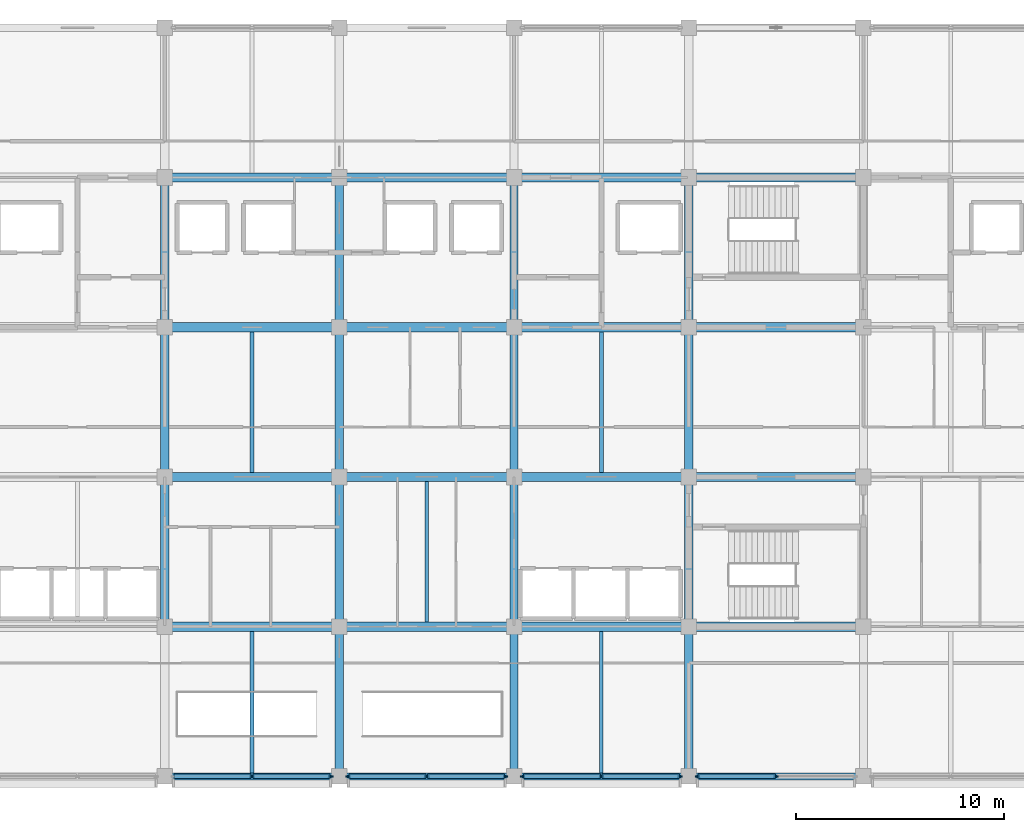
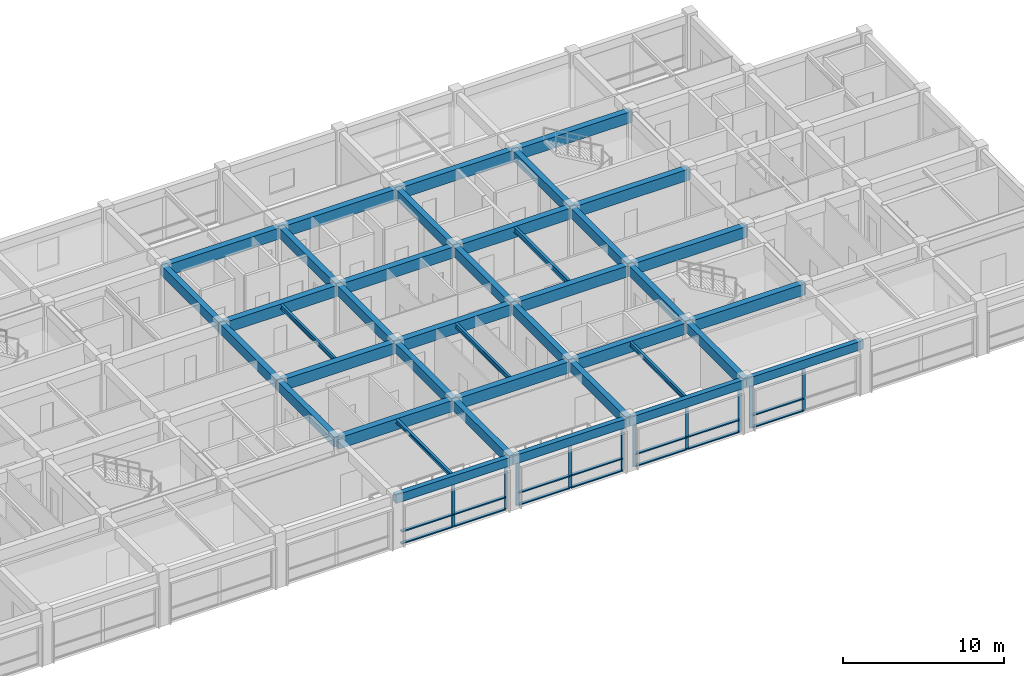
# One storey, part 4 of 23: 40 beams, 31 members, 4 elements without a shape of their own.
"""IFC4 building model written with IfcOpenShell, lengths in metres."""

from ifc_helpers import new_model, si_unit, direction, frame, origin, origin_2d, place, context, subcontext, project, spatial, rectangle, i_section, extrude, material, layer, layer_set, material_profile, profile_set, type_object, element, aggregate, save


model = new_model("IFC4")

# Units and contexts
model_context = context("Model", 3, precision=1e-05, world=origin(), true_north=direction((0.0, 1.0)))
body_context = subcontext(model_context, "Body", "Model", "MODEL_VIEW")
ifc_project = project(units=[si_unit("LENGTHUNIT", "METRE"), si_unit("AREAUNIT", "SQUARE_METRE"), si_unit("VOLUMEUNIT", "CUBIC_METRE"), si_unit("PLANEANGLEUNIT", "RADIAN"), si_unit("MASSUNIT", "GRAM", prefix="KILO")], contexts=[model_context])

# Site, building, storey
site_placement = place(None, origin())
site = spatial("IfcSite", under=ifc_project, at=site_placement, CompositionType="ELEMENT")
building_placement = place(site_placement, origin())
building = spatial("IfcBuilding", under=site, at=building_placement, Name="Chengyuan Square Courthouse", CompositionType="ELEMENT")
storey_placement = place(building_placement, frame((0.0, 0.0, 43.5)))
storey = spatial("IfcBuildingStorey", under=building, at=storey_placement, Name="L10", CompositionType="ELEMENT", Elevation=43.5)

# Beams
ifc_material_1 = material(Name="Concrete C40", Category="concrete")
ifc_material_profile_1 = material_profile(ifc_material_1, rectangle(XDim=0.449951171875, YDim=0.85009765625, at=origin_2d()), Name="RC-BM-450x850")
ifc_profile_set_1 = profile_set([ifc_material_profile_1], Name="Concrete C40")
beam_type_1 = type_object("IfcBeamType", Name="BM-01", PredefinedType="USERDEFINED", material=ifc_profile_set_1)
for number, where, z_axis, x_axis, name in (
    (1, (75.60009765625, 86.39990234375, 3.52490234375), (1.0, 0.0, 0.0), (0.0, 1.0, 0.0), "Girder BM-L10-4040"),
    (2, (84.0, 86.39990234375, 3.52490234375), (1.0, 0.0, 0.0), (0.0, 1.0, 0.0), "Girder BM-L10-4041"),
):
    element("IfcBeam", number, at=place(storey_placement, frame(where, z_axis=z_axis, x_axis=x_axis)), inside=storey, type_object=beam_type_1, Name=name, ObjectType="GIRDER", PredefinedType="USERDEFINED", context=body_context, shape_type="SweptSolid", body=[
        extrude(rectangle(XDim=0.449951171875, YDim=0.85009765625, at=origin_2d()), origin(), (0.0, 0.0, 1.0), 8.39990234375),
    ])
beam_1_placement = place(storey_placement, frame((92.39990234375, 86.39990234375, 3.52490234375), z_axis=(1.0, 0.0, 0.0), x_axis=(0.0, 1.0, 0.0)))
element("IfcBeam", 3, at=beam_1_placement, inside=storey, type_object=beam_type_1, Name="Girder BM-L10-4042", ObjectType="GIRDER", PredefinedType="USERDEFINED", context=body_context, shape_type="SweptSolid", body=[
    extrude(rectangle(XDim=0.449951171875, YDim=0.85009765625, at=origin_2d()), origin(), (0.0, 0.0, 1.0), 8.400146484375),
])
for number, where, z_axis, x_axis, name in (
    (4, (100.800048828125, 86.39990234375, 3.52490234375), (1.0, 0.0, 0.0), (0.0, 1.0, 0.0), "Girder BM-L10-4043"),
    (5, (75.60009765625, 93.60009765625, 3.52490234375), (1.0, 0.0, 0.0), (0.0, 1.0, 0.0), "Girder BM-L10-4050"),
    (6, (84.0, 93.60009765625, 3.52490234375), (1.0, 0.0, 0.0), (0.0, 1.0, 0.0), "Girder BM-L10-4051"),
):
    element("IfcBeam", number, at=place(storey_placement, frame(where, z_axis=z_axis, x_axis=x_axis)), inside=storey, type_object=beam_type_1, Name=name, ObjectType="GIRDER", PredefinedType="USERDEFINED", context=body_context, shape_type="SweptSolid", body=[
        extrude(rectangle(XDim=0.449951171875, YDim=0.85009765625, at=origin_2d()), origin(), (0.0, 0.0, 1.0), 8.39990234375),
    ])
beam_2_placement = place(storey_placement, frame((92.39990234375, 93.60009765625, 3.52490234375), z_axis=(1.0, 0.0, 0.0), x_axis=(0.0, 1.0, 0.0)))
element("IfcBeam", 7, at=beam_2_placement, inside=storey, type_object=beam_type_1, Name="Girder BM-L10-4052", ObjectType="GIRDER", PredefinedType="USERDEFINED", context=body_context, shape_type="SweptSolid", body=[
    extrude(rectangle(XDim=0.449951171875, YDim=0.85009765625, at=origin_2d()), origin(), (0.0, 0.0, 1.0), 8.400146484375),
])
for number, where, z_axis, x_axis, name in (
    (8, (100.800048828125, 93.60009765625, 3.52490234375), (1.0, 0.0, 0.0), (0.0, 1.0, 0.0), "Girder BM-L10-4053"),
    (9, (75.60009765625, 100.800048828125, 3.52490234375), (1.0, 0.0, 0.0), (0.0, 1.0, 0.0), "Girder BM-L10-4060"),
    (10, (84.0, 100.800048828125, 3.52490234375), (1.0, 0.0, 0.0), (0.0, 1.0, 0.0), "Girder BM-L10-4061"),
):
    element("IfcBeam", number, at=place(storey_placement, frame(where, z_axis=z_axis, x_axis=x_axis)), inside=storey, type_object=beam_type_1, Name=name, ObjectType="GIRDER", PredefinedType="USERDEFINED", context=body_context, shape_type="SweptSolid", body=[
        extrude(rectangle(XDim=0.449951171875, YDim=0.85009765625, at=origin_2d()), origin(), (0.0, 0.0, 1.0), 8.39990234375),
    ])
beam_3_placement = place(storey_placement, frame((92.39990234375, 100.800048828125, 3.52490234375), z_axis=(1.0, 0.0, 0.0), x_axis=(0.0, 1.0, 0.0)))
element("IfcBeam", 11, at=beam_3_placement, inside=storey, type_object=beam_type_1, Name="Girder BM-L10-4062", ObjectType="GIRDER", PredefinedType="USERDEFINED", context=body_context, shape_type="SweptSolid", body=[
    extrude(rectangle(XDim=0.449951171875, YDim=0.85009765625, at=origin_2d()), origin(), (0.0, 0.0, 1.0), 8.400146484375),
])
for number, where, z_axis, x_axis, name in (
    (12, (100.800048828125, 100.800048828125, 3.52490234375), (1.0, 0.0, 0.0), (0.0, 1.0, 0.0), "Girder BM-L10-4063"),
    (13, (75.60009765625, 108.0, 3.52490234375), (1.0, 0.0, 0.0), (0.0, 1.0, 0.0), "Girder BM-L10-4070"),
    (14, (84.0, 108.0, 3.52490234375), (1.0, 0.0, 0.0), (0.0, 1.0, 0.0), "Girder BM-L10-4071"),
):
    element("IfcBeam", number, at=place(storey_placement, frame(where, z_axis=z_axis, x_axis=x_axis)), inside=storey, type_object=beam_type_1, Name=name, ObjectType="GIRDER", PredefinedType="USERDEFINED", context=body_context, shape_type="SweptSolid", body=[
        extrude(rectangle(XDim=0.449951171875, YDim=0.85009765625, at=origin_2d()), origin(), (0.0, 0.0, 1.0), 8.39990234375),
    ])
beam_4_placement = place(storey_placement, frame((92.39990234375, 108.0, 3.52490234375), z_axis=(1.0, 0.0, 0.0), x_axis=(0.0, 1.0, 0.0)))
element("IfcBeam", 15, at=beam_4_placement, inside=storey, type_object=beam_type_1, Name="Girder BM-L10-4072", ObjectType="GIRDER", PredefinedType="USERDEFINED", context=body_context, shape_type="SweptSolid", body=[
    extrude(rectangle(XDim=0.449951171875, YDim=0.85009765625, at=origin_2d()), origin(), (0.0, 0.0, 1.0), 8.400146484375),
])
beam_5_placement = place(storey_placement, frame((100.800048828125, 108.0, 3.52490234375), z_axis=(1.0, 0.0, 0.0), x_axis=(0.0, 1.0, 0.0)))
element("IfcBeam", 16, at=beam_5_placement, inside=storey, type_object=beam_type_1, Name="Girder BM-L10-4073", ObjectType="GIRDER", PredefinedType="USERDEFINED", context=body_context, shape_type="SweptSolid", body=[
    extrude(rectangle(XDim=0.449951171875, YDim=0.85009765625, at=origin_2d()), origin(), (0.0, 0.0, 1.0), 8.39990234375),
])
ifc_material_profile_2 = material_profile(ifc_material_1, rectangle(XDim=0.39990234375, YDim=0.75, at=origin_2d()), Name="RC-BM-400x750")
ifc_profile_set_2 = profile_set([ifc_material_profile_2], Name="Concrete C40")
beam_type_2 = type_object("IfcBeamType", Name="BM-02", PredefinedType="USERDEFINED", material=ifc_profile_set_2)
beam_6_placement = place(storey_placement, frame((75.60009765625, 86.39990234375, 3.574951171875), z_axis=(0.0, 1.0, 0.0), x_axis=(-1.0, 0.0, 0.0)))
element("IfcBeam", 17, at=beam_6_placement, inside=storey, type_object=beam_type_2, Name="Girder BM-L10-4104", ObjectType="GIRDER", PredefinedType="USERDEFINED", context=body_context, shape_type="SweptSolid", body=[
    extrude(rectangle(XDim=0.39990234375, YDim=0.75, at=origin_2d()), origin(), (0.0, 0.0, 1.0), 7.2001953125),
])
for number, where, z_axis, x_axis, name in (
    (18, (75.60009765625, 93.60009765625, 3.574951171875), (0.0, 1.0, 0.0), (-1.0, 0.0, 0.0), "Girder BM-L10-4105"),
    (19, (75.60009765625, 100.800048828125, 3.574951171875), (0.0, 1.0, 0.0), (-1.0, 0.0, 0.0), "Girder BM-L10-4106"),
    (20, (84.0, 79.199951171875, 3.574951171875), (0.0, 1.0, 0.0), (-1.0, 0.0, 0.0), "Girder BM-L10-4108"),
):
    element("IfcBeam", number, at=place(storey_placement, frame(where, z_axis=z_axis, x_axis=x_axis)), inside=storey, type_object=beam_type_2, Name=name, ObjectType="GIRDER", PredefinedType="USERDEFINED", context=body_context, shape_type="SweptSolid", body=[
        extrude(rectangle(XDim=0.39990234375, YDim=0.75, at=origin_2d()), origin(), (0.0, 0.0, 1.0), 7.199951171875),
    ])
beam_7_placement = place(storey_placement, frame((84.0, 86.39990234375, 3.574951171875), z_axis=(0.0, 1.0, 0.0), x_axis=(-1.0, 0.0, 0.0)))
element("IfcBeam", 21, at=beam_7_placement, inside=storey, type_object=beam_type_2, Name="Girder BM-L10-4109", ObjectType="GIRDER", PredefinedType="USERDEFINED", context=body_context, shape_type="SweptSolid", body=[
    extrude(rectangle(XDim=0.39990234375, YDim=0.75, at=origin_2d()), origin(), (0.0, 0.0, 1.0), 7.2001953125),
])
for number, where, z_axis, x_axis, name in (
    (22, (84.0, 93.60009765625, 3.574951171875), (0.0, 1.0, 0.0), (-1.0, 0.0, 0.0), "Girder BM-L10-4110"),
    (23, (84.0, 100.800048828125, 3.574951171875), (0.0, 1.0, 0.0), (-1.0, 0.0, 0.0), "Girder BM-L10-4111"),
    (24, (92.39990234375, 79.199951171875, 3.574951171875), (0.0, 1.0, 0.0), (-1.0, 0.0, 0.0), "Girder BM-L10-4113"),
):
    element("IfcBeam", number, at=place(storey_placement, frame(where, z_axis=z_axis, x_axis=x_axis)), inside=storey, type_object=beam_type_2, Name=name, ObjectType="GIRDER", PredefinedType="USERDEFINED", context=body_context, shape_type="SweptSolid", body=[
        extrude(rectangle(XDim=0.39990234375, YDim=0.75, at=origin_2d()), origin(), (0.0, 0.0, 1.0), 7.199951171875),
    ])
beam_8_placement = place(storey_placement, frame((92.39990234375, 86.39990234375, 3.574951171875), z_axis=(0.0, 1.0, 0.0), x_axis=(-1.0, 0.0, 0.0)))
element("IfcBeam", 25, at=beam_8_placement, inside=storey, type_object=beam_type_2, Name="Girder BM-L10-4114", ObjectType="GIRDER", PredefinedType="USERDEFINED", context=body_context, shape_type="SweptSolid", body=[
    extrude(rectangle(XDim=0.39990234375, YDim=0.75, at=origin_2d()), origin(), (0.0, 0.0, 1.0), 7.2001953125),
])
for number, where, z_axis, x_axis, name in (
    (26, (92.39990234375, 93.60009765625, 3.574951171875), (0.0, 1.0, 0.0), (-1.0, 0.0, 0.0), "Girder BM-L10-4115"),
    (27, (92.39990234375, 100.800048828125, 3.574951171875), (0.0, 1.0, 0.0), (-1.0, 0.0, 0.0), "Girder BM-L10-4116"),
    (28, (100.800048828125, 79.199951171875, 3.574951171875), (0.0, 1.0, 0.0), (-1.0, 0.0, 0.0), "Girder BM-L10-4118"),
):
    element("IfcBeam", number, at=place(storey_placement, frame(where, z_axis=z_axis, x_axis=x_axis)), inside=storey, type_object=beam_type_2, Name=name, ObjectType="GIRDER", PredefinedType="USERDEFINED", context=body_context, shape_type="SweptSolid", body=[
        extrude(rectangle(XDim=0.39990234375, YDim=0.75, at=origin_2d()), origin(), (0.0, 0.0, 1.0), 7.199951171875),
    ])
beam_9_placement = place(storey_placement, frame((100.800048828125, 86.39990234375, 3.574951171875), z_axis=(0.0, 1.0, 0.0), x_axis=(-1.0, 0.0, 0.0)))
element("IfcBeam", 29, at=beam_9_placement, inside=storey, type_object=beam_type_2, Name="Girder BM-L10-4119", ObjectType="GIRDER", PredefinedType="USERDEFINED", context=body_context, shape_type="SweptSolid", body=[
    extrude(rectangle(XDim=0.39990234375, YDim=0.75, at=origin_2d()), origin(), (0.0, 0.0, 1.0), 7.2001953125),
])
for number, where, z_axis, x_axis, name in (
    (30, (100.800048828125, 93.60009765625, 3.574951171875), (0.0, 1.0, 0.0), (-1.0, 0.0, 0.0), "Girder BM-L10-4120"),
    (31, (100.800048828125, 100.800048828125, 3.574951171875), (0.0, 1.0, 0.0), (-1.0, 0.0, 0.0), "Girder BM-L10-4121"),
):
    element("IfcBeam", number, at=place(storey_placement, frame(where, z_axis=z_axis, x_axis=x_axis)), inside=storey, type_object=beam_type_2, Name=name, ObjectType="GIRDER", PredefinedType="USERDEFINED", context=body_context, shape_type="SweptSolid", body=[
        extrude(rectangle(XDim=0.39990234375, YDim=0.75, at=origin_2d()), origin(), (0.0, 0.0, 1.0), 7.199951171875),
    ])
ifc_material_profile_3 = material_profile(ifc_material_1, rectangle(XDim=0.35009765625, YDim=0.64990234375, at=origin_2d()), Name="RC-BM-350x650")
ifc_profile_set_3 = profile_set([ifc_material_profile_3], Name="Concrete C40")
beam_type_3 = type_object("IfcBeamType", Name="BM-03", PredefinedType="SPANDREL", material=ifc_profile_set_3)
for number, where, z_axis, x_axis, name in (
    (32, (75.60009765625, 79.199951171875, 3.625), (1.0, 0.0, 0.0), (0.0, 1.0, 0.0), "Girder BM-L10-4030"),
    (33, (84.0, 79.199951171875, 3.625), (1.0, 0.0, 0.0), (0.0, 1.0, 0.0), "Girder BM-L10-4031"),
):
    element("IfcBeam", number, at=place(storey_placement, frame(where, z_axis=z_axis, x_axis=x_axis)), inside=storey, type_object=beam_type_3, Name=name, PredefinedType="SPANDREL", context=body_context, shape_type="SweptSolid", body=[
        extrude(rectangle(XDim=0.35009765625, YDim=0.64990234375, at=origin_2d()), origin(), (0.0, 0.0, 1.0), 8.39990234375),
    ])
beam_10_placement = place(storey_placement, frame((92.39990234375, 79.199951171875, 3.625), z_axis=(1.0, 0.0, 0.0), x_axis=(0.0, 1.0, 0.0)))
element("IfcBeam", 34, at=beam_10_placement, inside=storey, type_object=beam_type_3, Name="Girder BM-L10-4032", PredefinedType="SPANDREL", context=body_context, shape_type="SweptSolid", body=[
    extrude(rectangle(XDim=0.35009765625, YDim=0.64990234375, at=origin_2d()), origin(), (0.0, 0.0, 1.0), 8.400146484375),
])
beam_11_placement = place(storey_placement, frame((100.800048828125, 79.199951171875, 3.625), z_axis=(1.0, 0.0, 0.0), x_axis=(0.0, 1.0, 0.0)))
element("IfcBeam", 35, at=beam_11_placement, inside=storey, type_object=beam_type_3, Name="Girder BM-L10-4033", PredefinedType="SPANDREL", context=body_context, shape_type="SweptSolid", body=[
    extrude(rectangle(XDim=0.35009765625, YDim=0.64990234375, at=origin_2d()), origin(), (0.0, 0.0, 1.0), 8.39990234375),
])
ifc_material_2 = material(Name="Steel Q355B", Category="steel")
ifc_material_profile_4 = material_profile(ifc_material_2, i_section(OverallWidth=0.199951171875, OverallDepth=0.39990234375, WebThickness=0.008056640625, FlangeThickness=0.012939453125, at=origin_2d()), Name="HN 400x200x8x13")
ifc_profile_set_4 = profile_set([ifc_material_profile_4], Name="Steel Q355B")
beam_type_4 = type_object("IfcBeamType", Name="BM-07", PredefinedType="BEAM", material=ifc_profile_set_4)
beam_12_placement = place(storey_placement, frame((96.60009765625, 93.824951171875, 3.75), z_axis=(0.0, 1.0, 0.0), x_axis=(-1.0, 0.0, 0.0)))
element("IfcBeam", 36, at=beam_12_placement, inside=storey, type_object=beam_type_4, Name="Secondary Floor Beam SBM-L10-4151", PredefinedType="BEAM", context=body_context, shape_type="SweptSolid", body=[
    extrude(i_section(OverallWidth=0.199951171875, OverallDepth=0.39990234375, WebThickness=0.008056640625, FlangeThickness=0.012939453125, at=origin_2d()), origin(), (0.0, 0.0, 1.0), 6.75),
])
ifc_material_profile_5 = material_profile(ifc_material_2, i_section(OverallWidth=0.175048828125, OverallDepth=0.35009765625, WebThickness=0.007080078125, FlangeThickness=0.010986328125, at=origin_2d()), Name="HN 350x175x7x11")
ifc_profile_set_5 = profile_set([ifc_material_profile_5], Name="Steel Q355B")
beam_type_5 = type_object("IfcBeamType", Name="BM-08", PredefinedType="BEAM", material=ifc_profile_set_5)
for number, where, z_axis, x_axis, name in (
    (37, (79.800048828125, 93.824951171875, 3.77490234375), (0.0, 1.0, 0.0), (-1.0, 0.0, 0.0), "Secondary Floor Beam SBM-L10-4147"),
    (38, (88.199951171875, 86.625, 3.77490234375), (0.0, 1.0, 0.0), (-1.0, 0.0, 0.0), "Secondary Floor Beam SBM-L10-4149"),
):
    element("IfcBeam", number, at=place(storey_placement, frame(where, z_axis=z_axis, x_axis=x_axis)), inside=storey, type_object=beam_type_5, Name=name, PredefinedType="BEAM", context=body_context, shape_type="SweptSolid", body=[
        extrude(i_section(OverallWidth=0.175048828125, OverallDepth=0.35009765625, WebThickness=0.007080078125, FlangeThickness=0.010986328125, at=origin_2d()), origin(), (0.0, 0.0, 1.0), 6.75),
    ])
beam_13_placement = place(storey_placement, frame((96.60009765625, 79.375, 3.77490234375), z_axis=(0.0, 1.0, 0.0), x_axis=(-1.0, 0.0, 0.0)))
element("IfcBeam", 39, at=beam_13_placement, inside=storey, type_object=beam_type_5, Name="Secondary Floor Beam SBM-L10-4150", PredefinedType="BEAM", context=body_context, shape_type="SweptSolid", body=[
    extrude(i_section(OverallWidth=0.175048828125, OverallDepth=0.35009765625, WebThickness=0.007080078125, FlangeThickness=0.010986328125, at=origin_2d()), origin(), (0.0, 0.0, 1.0), 6.800048828125),
])
ifc_material_profile_6 = material_profile(ifc_material_2, i_section(OverallWidth=0.199951171875, OverallDepth=0.300048828125, WebThickness=0.008056640625, FlangeThickness=0.011962890625, at=origin_2d()), Name="HM 300x200x8x12")
ifc_profile_set_6 = profile_set([ifc_material_profile_6], Name="Steel Q355B")
beam_type_6 = type_object("IfcBeamType", Name="BM-09", PredefinedType="BEAM", material=ifc_profile_set_6)
beam_14_placement = place(storey_placement, frame((79.800048828125, 79.375, 3.800048828125), z_axis=(0.0, 1.0, 0.0), x_axis=(-1.0, 0.0, 0.0)))
element("IfcBeam", 40, at=beam_14_placement, inside=storey, type_object=beam_type_6, Name="Secondary Floor Beam SBM-L10-4146", PredefinedType="BEAM", context=body_context, shape_type="SweptSolid", body=[
    extrude(i_section(OverallWidth=0.199951171875, OverallDepth=0.300048828125, WebThickness=0.008056640625, FlangeThickness=0.011962890625, at=origin_2d()), origin(), (0.0, 0.0, 1.0), 6.800048828125),
])

# Curtain wall, members
ifc_material_3 = material(Name="Unitised Aluminium and Triple Low-E Glass", Category="aluminium")
ifc_layer = layer(ifc_material_3, 0.219970703125)
ifc_layer_set = layer_set([ifc_layer], Name="Unitised Aluminium and Triple Low-E Glass")
curtain_wall_type = type_object("IfcCurtainWallType", Name="CW-04", PredefinedType="USERDEFINED", material=ifc_layer_set)
curtain_wall_1_placement = place(storey_placement, origin())
curtain_wall_1 = element("IfcCurtainWall", 41, at=curtain_wall_1_placement, inside=storey, type_object=curtain_wall_type, Name="Unitised Curtain Wall CW-L10-251", ObjectType="UNITISED CURTAIN WALL", PredefinedType="USERDEFINED")
ifc_material_4 = material(Name="Aluminium 6063-T6 Frame", Category="aluminium")
ifc_material_profile_7 = material_profile(ifc_material_4, rectangle(XDim=0.080078125, YDim=0.219970703125, at=origin_2d()), Name="CW-MUL-80x220")
ifc_profile_set_7 = profile_set([ifc_material_profile_7], Name="Aluminium 6063-T6 Frame")
member_type_1 = type_object("IfcMemberType", Name="CWM-04", PredefinedType="MULLION", material=ifc_profile_set_7)
member_1_placement = place(storey_placement, frame((79.800048828125, 79.199951171875, 0.0), z_axis=(0.0, 0.0, 1.0), x_axis=(0.0, 1.0, 0.0)))
member_1 = element("IfcMember", 42, at=member_1_placement, type_object=member_type_1, Name="CW-04 mullion 2", PredefinedType="MULLION", context=body_context, shape_type="SweptSolid", body=[
    extrude(rectangle(XDim=0.080078125, YDim=0.219970703125, at=origin_2d()), origin(), (0.0, 0.0, 1.0), 3.300048828125),
])
member_2_placement = place(storey_placement, frame((83.5849609375, 79.199951171875, 0.0), z_axis=(0.0, 0.0, 1.0), x_axis=(0.0, 1.0, 0.0)))
member_2 = element("IfcMember", 43, at=member_2_placement, type_object=member_type_1, Name="CW-04 mullion 3", PredefinedType="MULLION", context=body_context, shape_type="SweptSolid", body=[
    extrude(rectangle(XDim=0.080078125, YDim=0.219970703125, at=origin_2d()), origin(), (0.0, 0.0, 1.0), 3.300048828125),
])

curtain_wall_2_placement = place(storey_placement, origin())
curtain_wall_2 = element("IfcCurtainWall", 44, at=curtain_wall_2_placement, inside=storey, type_object=curtain_wall_type, Name="Unitised Curtain Wall CW-L10-253", ObjectType="UNITISED CURTAIN WALL", PredefinedType="USERDEFINED")
member_3_placement = place(storey_placement, frame((84.4150390625, 79.199951171875, 0.0), z_axis=(0.0, 0.0, 1.0), x_axis=(0.0, 1.0, 0.0)))
member_3 = element("IfcMember", 45, at=member_3_placement, type_object=member_type_1, Name="CW-04 mullion 1", PredefinedType="MULLION", context=body_context, shape_type="SweptSolid", body=[
    extrude(rectangle(XDim=0.080078125, YDim=0.219970703125, at=origin_2d()), origin(), (0.0, 0.0, 1.0), 3.300048828125),
])
member_4_placement = place(storey_placement, frame((88.199951171875, 79.199951171875, 0.0), z_axis=(0.0, 0.0, 1.0), x_axis=(0.0, 1.0, 0.0)))
member_4 = element("IfcMember", 46, at=member_4_placement, type_object=member_type_1, Name="CW-04 mullion 2", PredefinedType="MULLION", context=body_context, shape_type="SweptSolid", body=[
    extrude(rectangle(XDim=0.080078125, YDim=0.219970703125, at=origin_2d()), origin(), (0.0, 0.0, 1.0), 3.300048828125),
])
member_5_placement = place(storey_placement, frame((91.985107421875, 79.199951171875, 0.0), z_axis=(0.0, 0.0, 1.0), x_axis=(0.0, 1.0, 0.0)))
member_5 = element("IfcMember", 47, at=member_5_placement, type_object=member_type_1, Name="CW-04 mullion 3", PredefinedType="MULLION", context=body_context, shape_type="SweptSolid", body=[
    extrude(rectangle(XDim=0.080078125, YDim=0.219970703125, at=origin_2d()), origin(), (0.0, 0.0, 1.0), 3.300048828125),
])

curtain_wall_3_placement = place(storey_placement, origin())
curtain_wall_3 = element("IfcCurtainWall", 48, at=curtain_wall_3_placement, inside=storey, type_object=curtain_wall_type, Name="Unitised Curtain Wall CW-L10-254", ObjectType="UNITISED CURTAIN WALL", PredefinedType="USERDEFINED")
member_6_placement = place(storey_placement, frame((92.81494140625, 79.199951171875, 0.0), z_axis=(0.0, 0.0, 1.0), x_axis=(0.0, 1.0, 0.0)))
member_6 = element("IfcMember", 49, at=member_6_placement, type_object=member_type_1, Name="CW-04 mullion 1", PredefinedType="MULLION", context=body_context, shape_type="SweptSolid", body=[
    extrude(rectangle(XDim=0.080078125, YDim=0.219970703125, at=origin_2d()), origin(), (0.0, 0.0, 1.0), 3.300048828125),
])
member_7_placement = place(storey_placement, frame((96.60009765625, 79.199951171875, 0.0), z_axis=(0.0, 0.0, 1.0), x_axis=(0.0, 1.0, 0.0)))
member_7 = element("IfcMember", 50, at=member_7_placement, type_object=member_type_1, Name="CW-04 mullion 2", PredefinedType="MULLION", context=body_context, shape_type="SweptSolid", body=[
    extrude(rectangle(XDim=0.080078125, YDim=0.219970703125, at=origin_2d()), origin(), (0.0, 0.0, 1.0), 3.300048828125),
])
member_8_placement = place(storey_placement, frame((100.385009765625, 79.199951171875, 0.0), z_axis=(0.0, 0.0, 1.0), x_axis=(0.0, 1.0, 0.0)))
member_8 = element("IfcMember", 51, at=member_8_placement, type_object=member_type_1, Name="CW-04 mullion 3", PredefinedType="MULLION", context=body_context, shape_type="SweptSolid", body=[
    extrude(rectangle(XDim=0.080078125, YDim=0.219970703125, at=origin_2d()), origin(), (0.0, 0.0, 1.0), 3.300048828125),
])

curtain_wall_4_placement = place(storey_placement, origin())
curtain_wall_4 = element("IfcCurtainWall", 52, at=curtain_wall_4_placement, inside=storey, type_object=curtain_wall_type, Name="Unitised Curtain Wall CW-L10-256", ObjectType="UNITISED CURTAIN WALL", PredefinedType="USERDEFINED")
member_9_placement = place(storey_placement, frame((101.215087890625, 79.199951171875, 0.0), z_axis=(0.0, 0.0, 1.0), x_axis=(0.0, 1.0, 0.0)))
member_9 = element("IfcMember", 53, at=member_9_placement, type_object=member_type_1, Name="CW-04 mullion 1", PredefinedType="MULLION", context=body_context, shape_type="SweptSolid", body=[
    extrude(rectangle(XDim=0.080078125, YDim=0.219970703125, at=origin_2d()), origin(), (0.0, 0.0, 1.0), 3.300048828125),
])
member_10_placement = place(storey_placement, frame((105.0, 79.199951171875, 0.0), z_axis=(0.0, 0.0, 1.0), x_axis=(0.0, 1.0, 0.0)))
member_10 = element("IfcMember", 54, at=member_10_placement, type_object=member_type_1, Name="CW-04 mullion 2", PredefinedType="MULLION", context=body_context, shape_type="SweptSolid", body=[
    extrude(rectangle(XDim=0.080078125, YDim=0.219970703125, at=origin_2d()), origin(), (0.0, 0.0, 1.0), 3.300048828125),
])

# Member
ifc_material_profile_8 = material_profile(ifc_material_4, rectangle(XDim=0.219970703125, YDim=0.080078125, at=origin_2d()), Name="CW-TRN-80x180")
ifc_profile_set_8 = profile_set([ifc_material_profile_8], Name="Aluminium 6063-T6 Frame")
member_type_2 = type_object("IfcMemberType", Name="CWT-04", PredefinedType="USERDEFINED", material=ifc_profile_set_8)
member_11_placement = place(storey_placement, frame((76.054931640625, 79.199951171875, 0.0400390625), z_axis=(1.0, 0.0, 0.0), x_axis=(0.0, 1.0, 0.0)))
member_11 = element("IfcMember", 55, at=member_11_placement, type_object=member_type_2, Name="CW-04 transom 1.1", ObjectType="TRANSOM", PredefinedType="USERDEFINED", context=body_context, shape_type="SweptSolid", body=[
    extrude(rectangle(XDim=0.219970703125, YDim=0.080078125, at=origin_2d()), origin(), (0.0, 0.0, 1.0), 3.705078125),
])

member_12_placement = place(storey_placement, frame((76.054931640625, 79.199951171875, 0.949951171875), z_axis=(1.0, 0.0, 0.0), x_axis=(0.0, 1.0, 0.0)))
member_12 = element("IfcMember", 56, at=member_12_placement, type_object=member_type_2, Name="CW-04 transom 1.2", ObjectType="TRANSOM", PredefinedType="USERDEFINED", context=body_context, shape_type="SweptSolid", body=[
    extrude(rectangle(XDim=0.219970703125, YDim=0.080078125, at=origin_2d()), origin(), (0.0, 0.0, 1.0), 3.705078125),
])

member_13_placement = place(storey_placement, frame((76.054931640625, 79.199951171875, 3.260009765625), z_axis=(1.0, 0.0, 0.0), x_axis=(0.0, 1.0, 0.0)))
member_13 = element("IfcMember", 57, at=member_13_placement, type_object=member_type_2, Name="CW-04 transom 1.3", ObjectType="TRANSOM", PredefinedType="USERDEFINED", context=body_context, shape_type="SweptSolid", body=[
    extrude(rectangle(XDim=0.219970703125, YDim=0.080078125, at=origin_2d()), origin(), (0.0, 0.0, 1.0), 3.705078125),
])

member_14_placement = place(storey_placement, frame((79.840087890625, 79.199951171875, 0.0400390625), z_axis=(1.0, 0.0, 0.0), x_axis=(0.0, 1.0, 0.0)))
member_14 = element("IfcMember", 58, at=member_14_placement, type_object=member_type_2, Name="CW-04 transom 2.1", ObjectType="TRANSOM", PredefinedType="USERDEFINED", context=body_context, shape_type="SweptSolid", body=[
    extrude(rectangle(XDim=0.219970703125, YDim=0.080078125, at=origin_2d()), origin(), (0.0, 0.0, 1.0), 3.704833984375),
])

member_15_placement = place(storey_placement, frame((79.840087890625, 79.199951171875, 0.949951171875), z_axis=(1.0, 0.0, 0.0), x_axis=(0.0, 1.0, 0.0)))
member_15 = element("IfcMember", 59, at=member_15_placement, type_object=member_type_2, Name="CW-04 transom 2.2", ObjectType="TRANSOM", PredefinedType="USERDEFINED", context=body_context, shape_type="SweptSolid", body=[
    extrude(rectangle(XDim=0.219970703125, YDim=0.080078125, at=origin_2d()), origin(), (0.0, 0.0, 1.0), 3.704833984375),
])

member_16_placement = place(storey_placement, frame((79.840087890625, 79.199951171875, 3.260009765625), z_axis=(1.0, 0.0, 0.0), x_axis=(0.0, 1.0, 0.0)))
member_16 = element("IfcMember", 60, at=member_16_placement, type_object=member_type_2, Name="CW-04 transom 2.3", ObjectType="TRANSOM", PredefinedType="USERDEFINED", context=body_context, shape_type="SweptSolid", body=[
    extrude(rectangle(XDim=0.219970703125, YDim=0.080078125, at=origin_2d()), origin(), (0.0, 0.0, 1.0), 3.704833984375),
])

aggregate(curtain_wall_1, [member_1, member_2, member_11, member_12, member_13, member_14, member_15, member_16])

member_17_placement = place(storey_placement, frame((84.455078125, 79.199951171875, 0.0400390625), z_axis=(1.0, 0.0, 0.0), x_axis=(0.0, 1.0, 0.0)))
member_17 = element("IfcMember", 61, at=member_17_placement, type_object=member_type_2, Name="CW-04 transom 1.1", ObjectType="TRANSOM", PredefinedType="USERDEFINED", context=body_context, shape_type="SweptSolid", body=[
    extrude(rectangle(XDim=0.219970703125, YDim=0.080078125, at=origin_2d()), origin(), (0.0, 0.0, 1.0), 3.704833984375),
])

member_18_placement = place(storey_placement, frame((84.455078125, 79.199951171875, 0.949951171875), z_axis=(1.0, 0.0, 0.0), x_axis=(0.0, 1.0, 0.0)))
member_18 = element("IfcMember", 62, at=member_18_placement, type_object=member_type_2, Name="CW-04 transom 1.2", ObjectType="TRANSOM", PredefinedType="USERDEFINED", context=body_context, shape_type="SweptSolid", body=[
    extrude(rectangle(XDim=0.219970703125, YDim=0.080078125, at=origin_2d()), origin(), (0.0, 0.0, 1.0), 3.704833984375),
])

member_19_placement = place(storey_placement, frame((84.455078125, 79.199951171875, 3.260009765625), z_axis=(1.0, 0.0, 0.0), x_axis=(0.0, 1.0, 0.0)))
member_19 = element("IfcMember", 63, at=member_19_placement, type_object=member_type_2, Name="CW-04 transom 1.3", ObjectType="TRANSOM", PredefinedType="USERDEFINED", context=body_context, shape_type="SweptSolid", body=[
    extrude(rectangle(XDim=0.219970703125, YDim=0.080078125, at=origin_2d()), origin(), (0.0, 0.0, 1.0), 3.704833984375),
])

member_20_placement = place(storey_placement, frame((88.239990234375, 79.199951171875, 0.0400390625), z_axis=(1.0, 0.0, 0.0), x_axis=(0.0, 1.0, 0.0)))
member_20 = element("IfcMember", 64, at=member_20_placement, type_object=member_type_2, Name="CW-04 transom 2.1", ObjectType="TRANSOM", PredefinedType="USERDEFINED", context=body_context, shape_type="SweptSolid", body=[
    extrude(rectangle(XDim=0.219970703125, YDim=0.080078125, at=origin_2d()), origin(), (0.0, 0.0, 1.0), 3.705078125),
])

member_21_placement = place(storey_placement, frame((88.239990234375, 79.199951171875, 0.949951171875), z_axis=(1.0, 0.0, 0.0), x_axis=(0.0, 1.0, 0.0)))
member_21 = element("IfcMember", 65, at=member_21_placement, type_object=member_type_2, Name="CW-04 transom 2.2", ObjectType="TRANSOM", PredefinedType="USERDEFINED", context=body_context, shape_type="SweptSolid", body=[
    extrude(rectangle(XDim=0.219970703125, YDim=0.080078125, at=origin_2d()), origin(), (0.0, 0.0, 1.0), 3.705078125),
])

member_22_placement = place(storey_placement, frame((88.239990234375, 79.199951171875, 3.260009765625), z_axis=(1.0, 0.0, 0.0), x_axis=(0.0, 1.0, 0.0)))
member_22 = element("IfcMember", 66, at=member_22_placement, type_object=member_type_2, Name="CW-04 transom 2.3", ObjectType="TRANSOM", PredefinedType="USERDEFINED", context=body_context, shape_type="SweptSolid", body=[
    extrude(rectangle(XDim=0.219970703125, YDim=0.080078125, at=origin_2d()), origin(), (0.0, 0.0, 1.0), 3.705078125),
])

aggregate(curtain_wall_2, [member_3, member_4, member_5, member_17, member_18, member_19, member_20, member_21, member_22])

member_23_placement = place(storey_placement, frame((92.85498046875, 79.199951171875, 0.0400390625), z_axis=(1.0, 0.0, 0.0), x_axis=(0.0, 1.0, 0.0)))
member_23 = element("IfcMember", 67, at=member_23_placement, type_object=member_type_2, Name="CW-04 transom 1.1", ObjectType="TRANSOM", PredefinedType="USERDEFINED", context=body_context, shape_type="SweptSolid", body=[
    extrude(rectangle(XDim=0.219970703125, YDim=0.080078125, at=origin_2d()), origin(), (0.0, 0.0, 1.0), 3.705078125),
])

member_24_placement = place(storey_placement, frame((92.85498046875, 79.199951171875, 0.949951171875), z_axis=(1.0, 0.0, 0.0), x_axis=(0.0, 1.0, 0.0)))
member_24 = element("IfcMember", 68, at=member_24_placement, type_object=member_type_2, Name="CW-04 transom 1.2", ObjectType="TRANSOM", PredefinedType="USERDEFINED", context=body_context, shape_type="SweptSolid", body=[
    extrude(rectangle(XDim=0.219970703125, YDim=0.080078125, at=origin_2d()), origin(), (0.0, 0.0, 1.0), 3.705078125),
])

member_25_placement = place(storey_placement, frame((92.85498046875, 79.199951171875, 3.260009765625), z_axis=(1.0, 0.0, 0.0), x_axis=(0.0, 1.0, 0.0)))
member_25 = element("IfcMember", 69, at=member_25_placement, type_object=member_type_2, Name="CW-04 transom 1.3", ObjectType="TRANSOM", PredefinedType="USERDEFINED", context=body_context, shape_type="SweptSolid", body=[
    extrude(rectangle(XDim=0.219970703125, YDim=0.080078125, at=origin_2d()), origin(), (0.0, 0.0, 1.0), 3.705078125),
])

member_26_placement = place(storey_placement, frame((96.639892578125, 79.199951171875, 0.0400390625), z_axis=(1.0, 0.0, 0.0), x_axis=(0.0, 1.0, 0.0)))
member_26 = element("IfcMember", 70, at=member_26_placement, type_object=member_type_2, Name="CW-04 transom 2.1", ObjectType="TRANSOM", PredefinedType="USERDEFINED", context=body_context, shape_type="SweptSolid", body=[
    extrude(rectangle(XDim=0.219970703125, YDim=0.080078125, at=origin_2d()), origin(), (0.0, 0.0, 1.0), 3.705078125),
])

member_27_placement = place(storey_placement, frame((96.639892578125, 79.199951171875, 0.949951171875), z_axis=(1.0, 0.0, 0.0), x_axis=(0.0, 1.0, 0.0)))
member_27 = element("IfcMember", 71, at=member_27_placement, type_object=member_type_2, Name="CW-04 transom 2.2", ObjectType="TRANSOM", PredefinedType="USERDEFINED", context=body_context, shape_type="SweptSolid", body=[
    extrude(rectangle(XDim=0.219970703125, YDim=0.080078125, at=origin_2d()), origin(), (0.0, 0.0, 1.0), 3.705078125),
])

member_28_placement = place(storey_placement, frame((96.639892578125, 79.199951171875, 3.260009765625), z_axis=(1.0, 0.0, 0.0), x_axis=(0.0, 1.0, 0.0)))
member_28 = element("IfcMember", 72, at=member_28_placement, type_object=member_type_2, Name="CW-04 transom 2.3", ObjectType="TRANSOM", PredefinedType="USERDEFINED", context=body_context, shape_type="SweptSolid", body=[
    extrude(rectangle(XDim=0.219970703125, YDim=0.080078125, at=origin_2d()), origin(), (0.0, 0.0, 1.0), 3.705078125),
])

aggregate(curtain_wall_3, [member_6, member_7, member_8, member_23, member_24, member_25, member_26, member_27, member_28])

member_29_placement = place(storey_placement, frame((101.2548828125, 79.199951171875, 0.0400390625), z_axis=(1.0, 0.0, 0.0), x_axis=(0.0, 1.0, 0.0)))
member_29 = element("IfcMember", 73, at=member_29_placement, type_object=member_type_2, Name="CW-04 transom 1.1", ObjectType="TRANSOM", PredefinedType="USERDEFINED", context=body_context, shape_type="SweptSolid", body=[
    extrude(rectangle(XDim=0.219970703125, YDim=0.080078125, at=origin_2d()), origin(), (0.0, 0.0, 1.0), 3.705078125),
])

member_30_placement = place(storey_placement, frame((101.2548828125, 79.199951171875, 0.949951171875), z_axis=(1.0, 0.0, 0.0), x_axis=(0.0, 1.0, 0.0)))
member_30 = element("IfcMember", 74, at=member_30_placement, type_object=member_type_2, Name="CW-04 transom 1.2", ObjectType="TRANSOM", PredefinedType="USERDEFINED", context=body_context, shape_type="SweptSolid", body=[
    extrude(rectangle(XDim=0.219970703125, YDim=0.080078125, at=origin_2d()), origin(), (0.0, 0.0, 1.0), 3.705078125),
])

member_31_placement = place(storey_placement, frame((101.2548828125, 79.199951171875, 3.260009765625), z_axis=(1.0, 0.0, 0.0), x_axis=(0.0, 1.0, 0.0)))
member_31 = element("IfcMember", 75, at=member_31_placement, type_object=member_type_2, Name="CW-04 transom 1.3", ObjectType="TRANSOM", PredefinedType="USERDEFINED", context=body_context, shape_type="SweptSolid", body=[
    extrude(rectangle(XDim=0.219970703125, YDim=0.080078125, at=origin_2d()), origin(), (0.0, 0.0, 1.0), 3.705078125),
])

aggregate(curtain_wall_4, [member_9, member_10, member_29, member_30, member_31])

save(model, "model.ifc")
